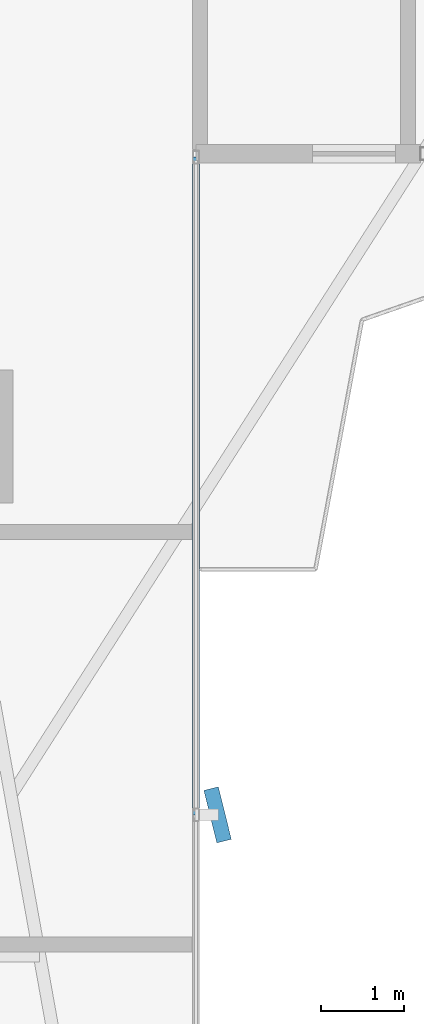
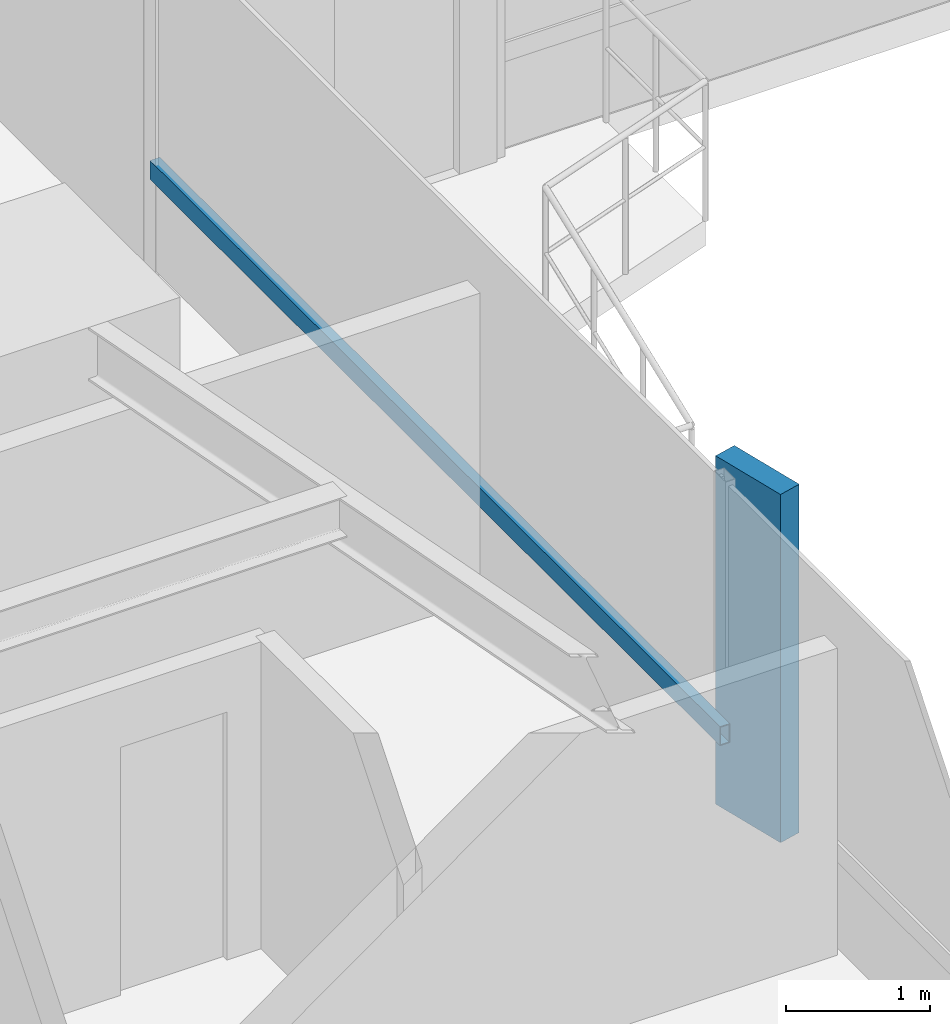
# One storey, part 5 of 26: 2 members, 1 element without a shape of its own.
"""IFC4 building model written with IfcOpenShell, lengths in metres."""

from ifc_helpers import new_model, si_unit, direction, frame, origin, origin_2d, place, context, subcontext, project, spatial, rectangle, hollow_rectangle, extrude, source, transform, mapped, material, material_profile, profile_set, type_object, element, aggregate, save


model = new_model("IFC4")

# Units and contexts
model_context = context("Model", 3, precision=1e-05, world=origin(), true_north=direction((0.0, 1.0)))
body_context = subcontext(model_context, "Body", "Model", "MODEL_VIEW")
ifc_project = project(units=[si_unit("LENGTHUNIT", "METRE"), si_unit("AREAUNIT", "SQUARE_METRE"), si_unit("VOLUMEUNIT", "CUBIC_METRE"), si_unit("PLANEANGLEUNIT", "RADIAN"), si_unit("MASSUNIT", "GRAM", prefix="KILO")], contexts=[model_context])

# Site, building, storey
site_placement = place(None, origin())
site = spatial("IfcSite", under=ifc_project, at=site_placement, CompositionType="ELEMENT")
building_placement = place(site_placement, origin())
building = spatial("IfcBuilding", under=site, at=building_placement, Name="Sahyath Konkavel Grand Hotel", CompositionType="ELEMENT")
storey_placement = place(building_placement, frame((0.0, 0.0, 43.199951171875)))
storey = spatial("IfcBuildingStorey", under=building, at=storey_placement, Name="L11", CompositionType="ELEMENT", Elevation=43.199951171875)

# Curtain wall, members
ifc_material_1 = material(Name="Anodised Bronze Aluminium & Low-E Glazing", Category="aluminium")
curtain_wall_type = type_object("IfcCurtainWallType", Name="CW-ZONE1", PredefinedType="NOTDEFINED", material=ifc_material_1)
curtain_wall_placement = place(storey_placement, origin())
curtain_wall = element("IfcCurtainWall", 1, at=curtain_wall_placement, inside=storey, type_object=curtain_wall_type, Name="L11 Unitised Curtain Wall F31", PredefinedType="NOTDEFINED")
ifc_material_2 = material(Name="Anodised Bronze Aluminium", Category="aluminium")
ifc_material_profile_1 = material_profile(ifc_material_2, hollow_rectangle(XDim=0.080078125, YDim=0.159912109375, WallThickness=0.006103515625, at=origin_2d()), Name="RHS 160x80x6")
ifc_profile_set_1 = profile_set([ifc_material_profile_1], Name="Anodised Bronze Aluminium")
member_type_1 = type_object("IfcMemberType", Name="CW-TRN-160", PredefinedType="USERDEFINED", material=ifc_profile_set_1)
shared_shape_1 = source(origin(), body_context, "Body", "SweptSolid", [
    extrude(hollow_rectangle(XDim=0.080078125, YDim=0.159912109375, WallThickness=0.006103515625, at=origin_2d()), origin(), (0.0, 0.0, 1.0), 7.909912109375),
])
member_1_placement = place(storey_placement, frame((6.800048828125, -14.75, 0.85009765625), z_axis=(0.0, 1.0, 0.0), x_axis=(-1.0, 0.0, 0.0)))
member_1 = element("IfcMember", 2, at=member_1_placement, type_object=member_type_1, Name="L11 Curtain Wall Transom F31-1-spandrel", ObjectType="TRANSOM", PredefinedType="USERDEFINED", context=body_context, shape_type="MappedRepresentation", body=[
    mapped(shared_shape_1, transform((0.0, 0.0, 0.0), scale=1.0)),
])
ifc_material_3 = material(Name="Warm Buff Sandstone Cladding on Concrete C50/60", Category="masonry")
ifc_material_profile_2 = material_profile(ifc_material_3, rectangle(XDim=0.179931640625, YDim=0.64990234375, at=origin_2d()), Name="FIN 180x650")
ifc_profile_set_2 = profile_set([ifc_material_profile_2], Name="Warm Buff Sandstone Cladding on Concrete C50/60")
member_type_2 = type_object("IfcMemberType", Name="FIN-SANDSTONE-650", PredefinedType="MULLION", material=ifc_profile_set_2)
shared_shape_2 = source(origin(), body_context, "Body", "SweptSolid", [
    extrude(rectangle(XDim=0.179931640625, YDim=0.64990234375, at=origin_2d()), origin(), (0.0, 0.0, 1.0), 2.949951171875),
])
member_2_placement = place(storey_placement, frame((7.06005859375, -14.75, 0.050048828125), z_axis=(0.0, 0.0, 1.0), x_axis=(0.970842131618, 0.239719743609, 0.0)))
member_2 = element("IfcMember", 3, at=member_2_placement, type_object=member_type_2, Name="L11 Sandstone Vertical Solar Fin FIN F31-1", PredefinedType="MULLION", context=body_context, shape_type="MappedRepresentation", body=[
    mapped(shared_shape_2, transform((0.0, 0.0, 0.0), scale=1.0)),
])
aggregate(curtain_wall, [member_2, member_1])

save(model, "model.ifc")
